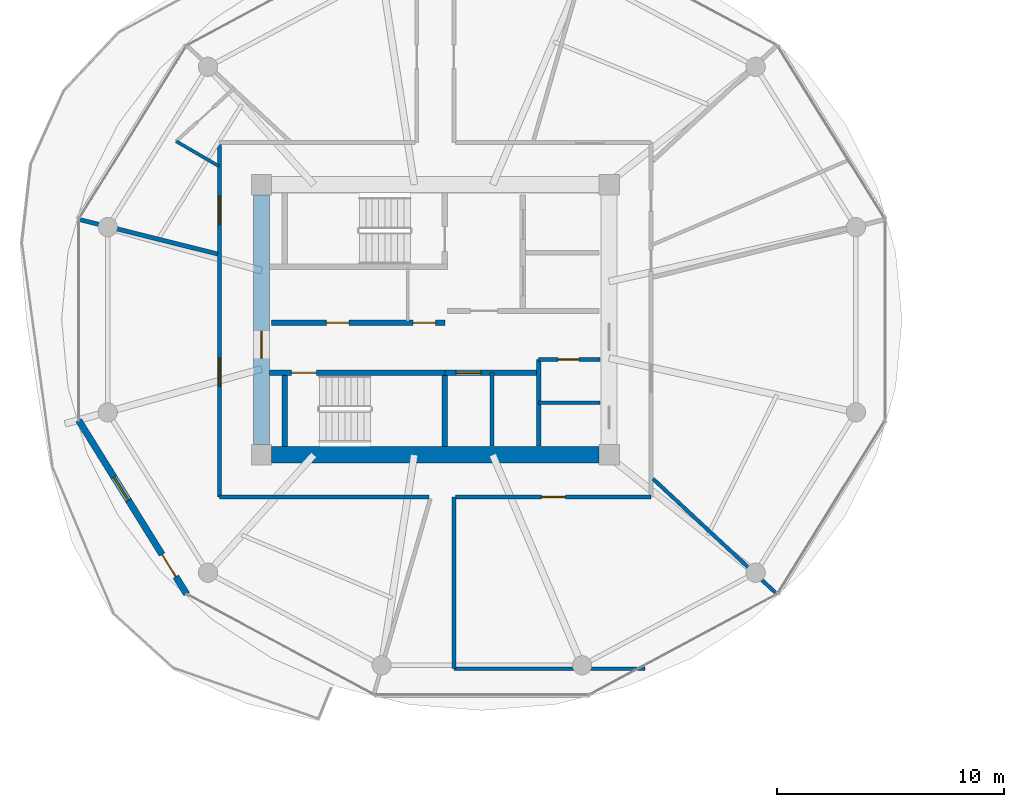
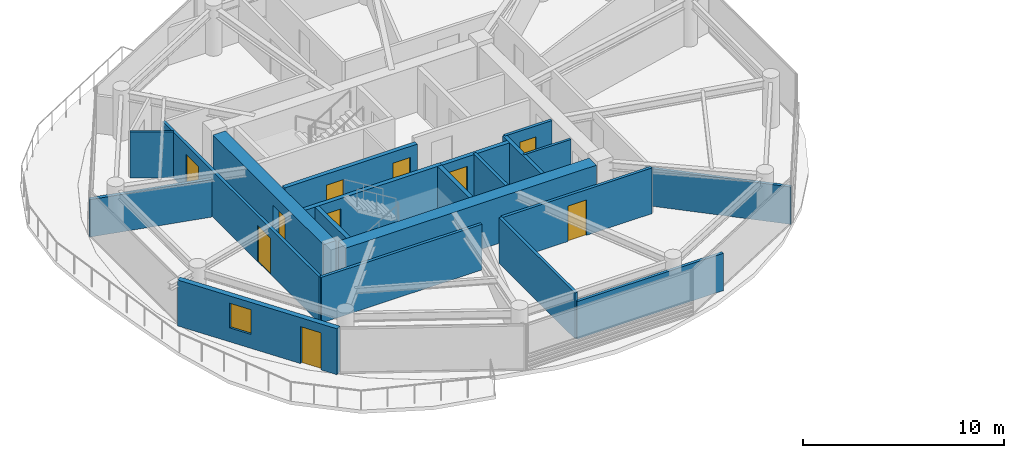
# One storey, part 13 of 23: 20 walls, 10 doors, 1 window, 11 openings.
"""IFC4 building model written with IfcOpenShell, lengths in metres."""

from ifc_helpers import new_model, si_unit, direction, frame, frame_2d, origin, place, context, subcontext, project, spatial, rectangle, extrude, source, transform, mapped, material, layer, layer_set, type_object, type_shapes, element, fill, save


model = new_model("IFC4")

# Units and contexts
model_context = context("Model", 3, precision=1e-05, world=origin(), true_north=direction((0.0, 1.0)))
body_context = subcontext(model_context, "Body", "Model", "MODEL_VIEW")
ifc_project = project(units=[si_unit("LENGTHUNIT", "METRE"), si_unit("AREAUNIT", "SQUARE_METRE"), si_unit("VOLUMEUNIT", "CUBIC_METRE"), si_unit("PLANEANGLEUNIT", "RADIAN"), si_unit("MASSUNIT", "GRAM", prefix="KILO")], contexts=[model_context])

# Site, building, storey
site_placement = place(None, origin())
site = spatial("IfcSite", under=ifc_project, at=site_placement, CompositionType="ELEMENT")
building_placement = place(site_placement, origin())
building = spatial("IfcBuilding", under=site, at=building_placement, Name="Norrkilde Senior Care Towers", CompositionType="ELEMENT")
storey_placement = place(building_placement, frame((0.0, 0.0, 93.199951171875)))
storey = spatial("IfcBuildingStorey", under=building, at=storey_placement, Name="L28", CompositionType="ELEMENT", Elevation=93.199951171875)

# Wall
ifc_material_1 = material(Name="Concrete C60/75", Category="concrete")
ifc_layer_1 = layer(ifc_material_1, 0.719970703125)
ifc_layer_set_1 = layer_set([ifc_layer_1], Name="Concrete C60/75")
wall_type_1 = type_object("IfcWallType", Name="Core Shear Wall Z2 720", PredefinedType="SHEAR", material=ifc_layer_set_1)
shared_shape_1 = source(origin(), body_context, "Body", "SweptSolid", [
    extrude(rectangle(XDim=14.39990234375, YDim=0.719970703125, at=frame_2d((7.199951171875, 0.0))), origin(), (0.0, 0.0, 1.0), 2.7900390625),
])
wall_1_placement = place(storey_placement, frame((-20.800048828125, -5.949951171875, 0.0), z_axis=(0.0, 0.0, 1.0), x_axis=(-1.0, 0.0, 0.0)))
element("IfcWall", 1, at=wall_1_placement, inside=storey, type_object=wall_type_1, Name="L28 Core W South Shear Wall", PredefinedType="SHEAR", context=body_context, shape_type="MappedRepresentation", body=[
    mapped(shared_shape_1, transform((0.0, 0.0, 0.0), x_axis=(1.0, 0.0, 0.0), y_axis=(0.0, 1.0, 0.0), z_axis=(0.0, 0.0, 1.0), scale=1.0)),
])

# Wall, opening, door
shared_shape_2 = source(origin(), body_context, "Body", "SweptSolid", [
    extrude(rectangle(XDim=11.0, YDim=0.719970703125, at=frame_2d((5.5, 0.0))), origin(), (0.0, 0.0, 1.0), 2.7900390625),
])
type_shapes(wall_type_1, [shared_shape_1, shared_shape_2])
wall_2_placement = place(storey_placement, frame((-35.64990234375, -5.5, 0.0), z_axis=(0.0, 0.0, 1.0), x_axis=(0.0, 1.0, 0.0)))
wall_2 = element("IfcWall", 2, at=wall_2_placement, inside=storey, type_object=wall_type_1, Name="L28 Core W West Shear Wall", PredefinedType="SHEAR", context=body_context, shape_type="MappedRepresentation", body=[
    mapped(shared_shape_2, transform((0.0, 0.0, 0.0), x_axis=(1.0, 0.0, 0.0), y_axis=(0.0, 1.0, 0.0), z_axis=(0.0, 0.0, 1.0), scale=1.0)),
])
opening_1_placement = place(wall_2_placement, frame((3.800048828125, 0.0, 0.0)))
opening_1 = element("IfcOpeningElement", 3, at=opening_1_placement, cuts=wall_2, Name="Opening D-04", PredefinedType="OPENING", context=body_context, shape_type="SweptSolid", body=[
    extrude(rectangle(XDim=1.199951171875, YDim=2.14990234375, at=frame_2d((0.60009765625, 1.074951171875))), frame((0.0, 0.369873046875, 0.0), z_axis=(0.0, -1.0, 0.0), x_axis=(1.0, 0.0, 0.0)), (0.0, 0.0, 1.0), 0.739990234375),
])
ifc_material_2 = material(Name="Galvanised Painted Steel", Category="steel")
door_type_1 = type_object("IfcDoorType", Name="Firefighting Lobby Fire Door 1200x2150", OperationType="NOTDEFINED", PredefinedType="DOOR", material=ifc_material_2)
shared_shape_3 = source(origin(), body_context, "Body", "SweptSolid", [
    extrude(rectangle(XDim=1.199951171875, YDim=2.14990234375, at=frame_2d((0.60009765625, 1.074951171875))), frame((0.0, 0.02490234375, 0.0), z_axis=(0.0, -1.0, 0.0), x_axis=(1.0, 0.0, 0.0)), (0.0, 0.0, 1.0), 0.050048828125),
])
type_shapes(door_type_1, [shared_shape_3])
door_1_placement = place(opening_1_placement, frame((1.199951171875, 0.0, 0.0), z_axis=(0.0, 0.0, 1.0), x_axis=(-1.0, 0.0, 0.0)))
door_1 = element("IfcDoor", 4, at=door_1_placement, inside=storey, type_object=door_type_1, Name="L28 Core W West Portal Door", OperationType="SINGLE_SWING_LEFT", OverallHeight=2.14990234375, OverallWidth=1.199951171875, PredefinedType="DOOR", context=body_context, shape_type="MappedRepresentation", body=[
    mapped(shared_shape_3, transform((0.0, 0.0, 0.0), x_axis=(1.0, 0.0, 0.0), y_axis=(0.0, 1.0, 0.0), z_axis=(0.0, 0.0, 1.0), scale=1.0)),
])
fill(opening_1, door_1)

# Wall, openings, door, window
ifc_material_3 = material(Name="Precast concrete C45/55", Category="concrete")
ifc_layer_2 = layer(ifc_material_3, 0.2900390625)
ifc_layer_set_2 = layer_set([ifc_layer_2], Name="Precast concrete C45/55")
wall_type_2 = type_object("IfcWallType", Name="Winter Garden Facade Wall 290", PredefinedType="SOLIDWALL", material=ifc_layer_set_2)
shared_shape_4 = source(origin(), body_context, "Body", "SweptSolid", [
    extrude(rectangle(XDim=9.01416015625, YDim=0.2900390625, at=frame_2d((4.507080078125, 0.0))), origin(), (0.0, 0.0, 1.0), 2.7900390625),
])
type_shapes(wall_type_2, [shared_shape_4])
wall_3_placement = place(storey_placement, frame((-38.946533203125, -12.077392578125, 0.0), z_axis=(0.0, 0.0, 1.0), x_axis=(-0.527732945084, 0.849410347637, 0.0)))
wall_3 = element("IfcWall", 5, at=wall_3_placement, inside=storey, type_object=wall_type_2, Name="L28 Drum W Balcony Access Wall 06", PredefinedType="SOLIDWALL", context=body_context, shape_type="MappedRepresentation", body=[
    mapped(shared_shape_4, transform((0.0, 0.0, 0.0), x_axis=(1.0, 0.0, 0.0), y_axis=(0.0, 1.0, 0.0), z_axis=(0.0, 0.0, 1.0), scale=1.0)),
])
opening_2_placement = place(wall_3_placement, frame((0.89990234375, 0.0, 0.0)))
opening_2 = element("IfcOpeningElement", 6, at=opening_2_placement, cuts=wall_3, Name="Opening D-09", PredefinedType="OPENING", context=body_context, shape_type="SweptSolid", body=[
    extrude(rectangle(XDim=1.14990234375, YDim=2.25, at=frame_2d((0.574951171875, 1.125))), frame((0.0, 0.155029296875, 0.0), z_axis=(0.0, -1.0, 0.0), x_axis=(1.0, 0.0, 0.0)), (0.0, 0.0, 1.0), 0.31005859375),
])
opening_3_placement = place(wall_3_placement, frame((4.857177734375, 0.0, 0.85009765625)))
opening_3 = element("IfcOpeningElement", 7, at=opening_3_placement, cuts=wall_3, Name="Opening WN-07", PredefinedType="OPENING", context=body_context, shape_type="SweptSolid", body=[
    extrude(rectangle(XDim=1.199951171875, YDim=1.5, at=frame_2d((0.60009765625, 0.75))), frame((0.0, 0.155029296875, 0.0), z_axis=(0.0, -1.0, 0.0), x_axis=(1.0, 0.0, 0.0)), (0.0, 0.0, 1.0), 0.31005859375),
])
ifc_material_4 = material(Name="Anodised Aluminium", Category="aluminium")
door_type_2 = type_object("IfcDoorType", Name="Terrace and Balcony Glazed Door 1150x2250", OperationType="NOTDEFINED", PredefinedType="DOOR", material=ifc_material_4)
shared_shape_5 = source(origin(), body_context, "Body", "SweptSolid", [
    extrude(rectangle(XDim=1.14990234375, YDim=2.25, at=frame_2d((0.574951171875, 1.125))), frame((0.0, 0.02490234375, 0.0), z_axis=(0.0, -1.0, 0.0), x_axis=(1.0, 0.0, 0.0)), (0.0, 0.0, 1.0), 0.050048828125),
])
type_shapes(door_type_2, [shared_shape_5])
door_2_placement = place(opening_2_placement, origin())
door_2 = element("IfcDoor", 8, at=door_2_placement, inside=storey, type_object=door_type_2, Name="L28 Drum W Outdoor Terrace Door 06", OperationType="SINGLE_SWING_LEFT", OverallHeight=2.25, OverallWidth=1.14990234375, PredefinedType="DOOR", context=body_context, shape_type="MappedRepresentation", body=[
    mapped(shared_shape_5, transform((0.0, 0.0, 0.0), x_axis=(1.0, 0.0, 0.0), y_axis=(0.0, 1.0, 0.0), z_axis=(0.0, 0.0, 1.0), scale=1.0)),
])
fill(opening_2, door_2)
ifc_material_5 = material(Name="Triple Low-E Insulated Glazing", Category="glass")
window_type = type_object("IfcWindowType", Name="Stairwell Smoke Vent Window 1200x1500", PartitioningType="SINGLE_PANEL", PredefinedType="WINDOW", material=ifc_material_5)
shared_shape_6 = source(origin(), body_context, "Body", "SweptSolid", [
    extrude(rectangle(XDim=1.199951171875, YDim=1.5, at=frame_2d((0.60009765625, 0.75))), frame((0.0, 0.030029296875, 0.0), z_axis=(0.0, -1.0, 0.0), x_axis=(1.0, 0.0, 0.0)), (0.0, 0.0, 1.0), 0.06005859375),
])
type_shapes(window_type, [shared_shape_6])
window_placement = place(opening_3_placement, origin())
window = element("IfcWindow", 9, at=window_placement, inside=storey, type_object=window_type, Name="L28 Drum W Winter Garden Window 06", OverallHeight=1.5, OverallWidth=1.199951171875, PartitioningType="SINGLE_PANEL", PredefinedType="WINDOW", context=body_context, shape_type="MappedRepresentation", body=[
    mapped(shared_shape_6, transform((0.0, 0.0, 0.0), x_axis=(1.0, 0.0, 0.0), y_axis=(0.0, 1.0, 0.0), z_axis=(0.0, 0.0, 1.0), scale=1.0)),
])
fill(opening_3, window)

# Wall, openings, doors
ifc_material_6 = material(Name="Concrete C45/55", Category="concrete")
ifc_layer_3 = layer(ifc_material_6, 0.239990234375)
ifc_layer_set_3 = layer_set([ifc_layer_3], Name="Concrete C45/55")
wall_type_3 = type_object("IfcWallType", Name="Lift and Plant Rated Enclosure Partition 240", PredefinedType="PARTITIONING", material=ifc_layer_set_3)
shared_shape_7 = source(origin(), body_context, "Body", "SweptSolid", [
    extrude(rectangle(XDim=7.619873046875, YDim=0.239990234375, at=frame_2d((3.81005859375, 0.0))), origin(), (0.0, 0.0, 1.0), 2.775146484375),
])
wall_4_placement = place(storey_placement, frame((-35.199951171875, -0.1298828125, 0.0), z_axis=(0.0, 0.0, 1.0), x_axis=(1.0, 0.0, 0.0)))
wall_4 = element("IfcWall", 10, at=wall_4_placement, inside=storey, type_object=wall_type_3, Name="WL-INT-L28-W-PKAS", PredefinedType="PARTITIONING", context=body_context, shape_type="MappedRepresentation", body=[
    mapped(shared_shape_7, transform((0.0, 0.0, 0.0), x_axis=(1.0, 0.0, 0.0), y_axis=(0.0, 1.0, 0.0), z_axis=(0.0, 0.0, 1.0), scale=1.0)),
])
opening_4_placement = place(wall_4_placement, frame((6.219970703125, 0.0, 0.0)))
opening_4 = element("IfcOpeningElement", 11, at=opening_4_placement, cuts=wall_4, Name="Opening D-10", PredefinedType="OPENING", context=body_context, shape_type="SweptSolid", body=[
    extrude(rectangle(XDim=1.0, YDim=2.10009765625, at=frame_2d((0.5, 1.050048828125))), frame((0.0, 0.1298828125, 0.0), z_axis=(0.0, -1.0, 0.0), x_axis=(1.0, 0.0, 0.0)), (0.0, 0.0, 1.0), 0.260009765625),
])
opening_5_placement = place(wall_4_placement, frame((2.39990234375, 0.0, 0.0)))
opening_5 = element("IfcOpeningElement", 12, at=opening_5_placement, cuts=wall_4, Name="Opening D-10", PredefinedType="OPENING", context=body_context, shape_type="SweptSolid", body=[
    extrude(rectangle(XDim=1.0, YDim=2.10009765625, at=frame_2d((0.5, 1.050048828125))), frame((0.0, 0.1298828125, 0.0), z_axis=(0.0, -1.0, 0.0), x_axis=(1.0, 0.0, 0.0)), (0.0, 0.0, 1.0), 0.260009765625),
])
door_type_3 = type_object("IfcDoorType", Name="Plant and Riser Rated Door 1000x2100", OperationType="NOTDEFINED", PredefinedType="DOOR", material=ifc_material_2)
shared_shape_8 = source(origin(), body_context, "Body", "SweptSolid", [
    extrude(rectangle(XDim=1.0, YDim=2.10009765625, at=frame_2d((0.5, 1.050048828125))), frame((0.0, 0.02490234375, 0.0), z_axis=(0.0, -1.0, 0.0), x_axis=(1.0, 0.0, 0.0)), (0.0, 0.0, 1.0), 0.050048828125),
])
type_shapes(door_type_3, [shared_shape_8])
door_3_placement = place(opening_4_placement, frame((1.0, 0.0, 0.0), z_axis=(0.0, 0.0, 1.0), x_axis=(-1.0, 0.0, 0.0)))
door_3 = element("IfcDoor", 13, at=door_3_placement, inside=storey, type_object=door_type_3, Name="L28 Electrical Riser W Door", OperationType="SINGLE_SWING_LEFT", OverallHeight=2.10009765625, OverallWidth=1.0, PredefinedType="DOOR", context=body_context, shape_type="MappedRepresentation", body=[
    mapped(shared_shape_8, transform((0.0, 0.0, 0.0), x_axis=(1.0, 0.0, 0.0), y_axis=(0.0, 1.0, 0.0), z_axis=(0.0, 0.0, 1.0), scale=1.0)),
])
fill(opening_4, door_3)
door_4_placement = place(opening_5_placement, frame((1.0, 0.0, 0.0), z_axis=(0.0, 0.0, 1.0), x_axis=(-1.0, 0.0, 0.0)))
door_4 = element("IfcDoor", 14, at=door_4_placement, inside=storey, type_object=door_type_3, Name="L28 Clean Supply Store W Door", OperationType="SINGLE_SWING_LEFT", OverallHeight=2.10009765625, OverallWidth=1.0, PredefinedType="DOOR", context=body_context, shape_type="MappedRepresentation", body=[
    mapped(shared_shape_8, transform((0.0, 0.0, 0.0), x_axis=(1.0, 0.0, 0.0), y_axis=(0.0, 1.0, 0.0), z_axis=(0.0, 0.0, 1.0), scale=1.0)),
])
fill(opening_5, door_4)

# Wall
ifc_layer_4 = layer(ifc_material_6, 0.199951171875)
ifc_layer_set_4 = layer_set([ifc_layer_4], Name="Concrete C45/55")
wall_type_4 = type_object("IfcWallType", Name="Shaft Division and Plant Partition 200", PredefinedType="PARTITIONING", material=ifc_layer_set_4)
shared_shape_9 = source(origin(), body_context, "Body", "SweptSolid", [
    extrude(rectangle(XDim=3.800048828125, YDim=0.199951171875, at=frame_2d((1.89990234375, 0.0))), origin(), (0.0, 0.0, 1.0), 2.775146484375),
])
type_shapes(wall_type_4, [shared_shape_9])
wall_5_placement = place(storey_placement, frame((-23.449951171875, -5.550048828125, 0.0), z_axis=(0.0, 0.0, 1.0), x_axis=(0.0, 1.0, 0.0)))
element("IfcWall", 15, at=wall_5_placement, inside=storey, type_object=wall_type_4, Name="WL-INT-L28-W-PKBE", PredefinedType="PARTITIONING", context=body_context, shape_type="MappedRepresentation", body=[
    mapped(shared_shape_9, transform((0.0, 0.0, 0.0), x_axis=(1.0, 0.0, 0.0), y_axis=(0.0, 1.0, 0.0), z_axis=(0.0, 0.0, 1.0), scale=1.0)),
])

# Wall, opening, door
shared_shape_10 = source(origin(), body_context, "Body", "SweptSolid", [
    extrude(rectangle(XDim=4.130126953125, YDim=0.239990234375, at=frame_2d((2.06494140625, 0.0))), origin(), (0.0, 0.0, 1.0), 2.775146484375),
])
type_shapes(wall_type_3, [shared_shape_7, shared_shape_10])
wall_6_placement = place(storey_placement, frame((-27.580078125, -2.330078125, 0.0), z_axis=(0.0, 0.0, 1.0), x_axis=(1.0, 0.0, 0.0)))
wall_6 = element("IfcWall", 16, at=wall_6_placement, inside=storey, type_object=wall_type_3, Name="WL-INT-L28-W-PKBN", PredefinedType="PARTITIONING", context=body_context, shape_type="MappedRepresentation", body=[
    mapped(shared_shape_10, transform((0.0, 0.0, 0.0), x_axis=(1.0, 0.0, 0.0), y_axis=(0.0, 1.0, 0.0), z_axis=(0.0, 0.0, 1.0), scale=1.0)),
])
opening_6_placement = place(wall_6_placement, frame((0.5, 0.0, 0.0)))
opening_6 = element("IfcOpeningElement", 17, at=opening_6_placement, cuts=wall_6, Name="Opening LD-01", PredefinedType="OPENING", context=body_context, shape_type="SweptSolid", body=[
    extrude(rectangle(XDim=1.10009765625, YDim=2.199951171875, at=frame_2d((0.550048828125, 1.10009765625))), frame((0.0, 0.1298828125, 0.0), z_axis=(0.0, -1.0, 0.0), x_axis=(1.0, 0.0, 0.0)), (0.0, 0.0, 1.0), 0.260009765625),
])
ifc_material_7 = material(Name="Stainless Steel", Category="steel")
door_type_4 = type_object("IfcDoorType", Name="Lift Landing Sliding Door 1100x2200", OperationType="NOTDEFINED", PredefinedType="DOOR", material=ifc_material_7)
shared_shape_11 = source(origin(), body_context, "Body", "SweptSolid", [
    extrude(rectangle(XDim=1.10009765625, YDim=2.199951171875, at=frame_2d((0.550048828125, 1.10009765625))), frame((0.0, 0.02490234375, 0.0), z_axis=(0.0, -1.0, 0.0), x_axis=(1.0, 0.0, 0.0)), (0.0, 0.0, 1.0), 0.050048828125),
])
type_shapes(door_type_4, [shared_shape_11])
door_5_placement = place(opening_6_placement, frame((1.10009765625, 0.0, 0.0), z_axis=(0.0, 0.0, 1.0), x_axis=(-1.0, 0.0, 0.0)))
door_5 = element("IfcDoor", 18, at=door_5_placement, inside=storey, type_object=door_type_4, Name="L28 Passenger Lift W3 Landing Door", OperationType="SLIDING_TO_LEFT", OverallHeight=2.199951171875, OverallWidth=1.10009765625, PredefinedType="DOOR", context=body_context, shape_type="MappedRepresentation", body=[
    mapped(shared_shape_11, transform((0.0, 0.0, 0.0), x_axis=(1.0, 0.0, 0.0), y_axis=(0.0, 1.0, 0.0), z_axis=(0.0, 0.0, 1.0), scale=1.0)),
])
fill(opening_6, door_5)

# Wall
ifc_layer_5 = layer(ifc_material_6, 0.179931640625)
ifc_layer_set_5 = layer_set([ifc_layer_5], Name="Concrete C45/55")
wall_type_5 = type_object("IfcWallType", Name="Hoistway Division Rated Partition 180", PredefinedType="PARTITIONING", material=ifc_layer_set_5)
shared_shape_12 = source(origin(), body_context, "Body", "SweptSolid", [
    extrude(rectangle(XDim=3.219970703125, YDim=0.179931640625, at=frame_2d((1.60986328125, 0.0))), origin(), (0.0, 0.0, 1.0), 2.775146484375),
])
type_shapes(wall_type_5, [shared_shape_12])
wall_7_placement = place(storey_placement, frame((-25.5, -5.550048828125, 0.0), z_axis=(0.0, 0.0, 1.0), x_axis=(0.0, 1.0, 0.0)))
element("IfcWall", 19, at=wall_7_placement, inside=storey, type_object=wall_type_5, Name="WL-INT-L28-W-PL34", PredefinedType="PARTITIONING", context=body_context, shape_type="MappedRepresentation", body=[
    mapped(shared_shape_12, transform((0.0, 0.0, 0.0), x_axis=(1.0, 0.0, 0.0), y_axis=(0.0, 1.0, 0.0), z_axis=(0.0, 0.0, 1.0), scale=1.0)),
])

# Wall, opening, door
ifc_material_8 = material(Name="Gypsum Acoustic Board")
ifc_layer_6 = layer(ifc_material_8, 0.1650390625)
ifc_layer_set_6 = layer_set([ifc_layer_6], Name="Gypsum Acoustic Board")
wall_type_6 = type_object("IfcWallType", Name="Corridor Rated Partition 165", PredefinedType="PARTITIONING", material=ifc_layer_set_6)
shared_shape_13 = source(origin(), body_context, "Body", "SweptSolid", [
    extrude(rectangle(XDim=2.699951171875, YDim=0.1650390625, at=frame_2d((1.35009765625, 0.0))), origin(), (0.0, 0.0, 1.0), 2.775146484375),
])
wall_8_placement = place(storey_placement, frame((-23.449951171875, -1.75, 0.0), z_axis=(0.0, 0.0, 1.0), x_axis=(1.0, 0.0, 0.0)))
wall_8 = element("IfcWall", 20, at=wall_8_placement, inside=storey, type_object=wall_type_6, Name="WL-INT-L28-W-CSN", PredefinedType="PARTITIONING", context=body_context, shape_type="MappedRepresentation", body=[
    mapped(shared_shape_13, transform((0.0, 0.0, 0.0), x_axis=(1.0, 0.0, 0.0), y_axis=(0.0, 1.0, 0.0), z_axis=(0.0, 0.0, 1.0), scale=1.0)),
])
opening_7_placement = place(wall_8_placement, frame((0.85009765625, 0.0, 0.0)))
opening_7 = element("IfcOpeningElement", 21, at=opening_7_placement, cuts=wall_8, Name="Opening D-12", PredefinedType="OPENING", context=body_context, shape_type="SweptSolid", body=[
    extrude(rectangle(XDim=0.925048828125, YDim=2.10009765625, at=frame_2d((0.46240234375, 1.050048828125))), frame((0.0, 0.092529296875, 0.0), z_axis=(0.0, -1.0, 0.0), x_axis=(1.0, 0.0, 0.0)), (0.0, 0.0, 1.0), 0.18505859375),
])
door_type_5 = type_object("IfcDoorType", Name="Core Wet Room Rated Door 925x2100", OperationType="NOTDEFINED", PredefinedType="DOOR", material=ifc_material_2)
shared_shape_14 = source(origin(), body_context, "Body", "SweptSolid", [
    extrude(rectangle(XDim=0.925048828125, YDim=2.10009765625, at=frame_2d((0.46240234375, 1.050048828125))), frame((0.0, 0.02490234375, 0.0), z_axis=(0.0, -1.0, 0.0), x_axis=(1.0, 0.0, 0.0)), (0.0, 0.0, 1.0), 0.050048828125),
])
type_shapes(door_type_5, [shared_shape_14])
door_6_placement = place(opening_7_placement, origin())
door_6 = element("IfcDoor", 22, at=door_6_placement, inside=storey, type_object=door_type_5, Name="L28 Staff WC W Door", OperationType="SINGLE_SWING_LEFT", OverallHeight=2.10009765625, OverallWidth=0.925048828125, PredefinedType="DOOR", context=body_context, shape_type="MappedRepresentation", body=[
    mapped(shared_shape_14, transform((0.0, 0.0, 0.0), x_axis=(1.0, 0.0, 0.0), y_axis=(0.0, 1.0, 0.0), z_axis=(0.0, 0.0, 1.0), scale=1.0)),
])
fill(opening_7, door_6)

# Wall, openings, doors
shared_shape_15 = source(origin(), body_context, "Body", "SweptSolid", [
    extrude(rectangle(XDim=15.60009765625, YDim=0.1650390625, at=frame_2d((7.800048828125, 0.0))), origin(), (0.0, 0.0, 1.0), 2.775146484375),
])
wall_9_placement = place(storey_placement, frame((-37.5, -7.800048828125, 0.0), z_axis=(0.0, 0.0, 1.0), x_axis=(0.0, 1.0, 0.0)))
wall_9 = element("IfcWall", 23, at=wall_9_placement, inside=storey, type_object=wall_type_6, Name="WL-INT-L28-W-CRW-W-0", PredefinedType="PARTITIONING", context=body_context, shape_type="MappedRepresentation", body=[
    mapped(shared_shape_15, transform((0.0, 0.0, 0.0), x_axis=(1.0, 0.0, 0.0), y_axis=(0.0, 1.0, 0.0), z_axis=(0.0, 0.0, 1.0), scale=1.0)),
])
opening_8_placement = place(wall_9_placement, frame((11.994140625, 0.0, 0.0)))
opening_8 = element("IfcOpeningElement", 24, at=opening_8_placement, cuts=wall_9, Name="Opening D-05", PredefinedType="OPENING", context=body_context, shape_type="SweptSolid", body=[
    extrude(rectangle(XDim=1.25, YDim=2.199951171875, at=frame_2d((0.625, 1.10009765625))), frame((0.0, 0.092529296875, 0.0), z_axis=(0.0, -1.0, 0.0), x_axis=(1.0, 0.0, 0.0)), (0.0, 0.0, 1.0), 0.18505859375),
])
opening_9_placement = place(wall_9_placement, frame((4.867431640625, 0.0, 0.0)))
opening_9 = element("IfcOpeningElement", 25, at=opening_9_placement, cuts=wall_9, Name="Opening D-05", PredefinedType="OPENING", context=body_context, shape_type="SweptSolid", body=[
    extrude(rectangle(XDim=1.25, YDim=2.199951171875, at=frame_2d((0.625, 1.10009765625))), frame((0.0, 0.092529296875, 0.0), z_axis=(0.0, -1.0, 0.0), x_axis=(1.0, 0.0, 0.0)), (0.0, 0.0, 1.0), 0.18505859375),
])
ifc_material_9 = material(Name="Nordic Ash Timber", Category="wood")
door_type_6 = type_object("IfcDoorType", Name="Care Bedroom Bariatric Door 1250x2200", OperationType="NOTDEFINED", PredefinedType="DOOR", material=ifc_material_9)
shared_shape_16 = source(origin(), body_context, "Body", "SweptSolid", [
    extrude(rectangle(XDim=1.25, YDim=2.199951171875, at=frame_2d((0.625, 1.10009765625))), frame((0.0, 0.02490234375, 0.0), z_axis=(0.0, -1.0, 0.0), x_axis=(1.0, 0.0, 0.0)), (0.0, 0.0, 1.0), 0.050048828125),
])
type_shapes(door_type_6, [shared_shape_16])
door_7_placement = place(opening_8_placement, frame((1.25, 0.0, 0.0), z_axis=(0.0, 0.0, 1.0), x_axis=(-1.0, 0.0, 0.0)))
door_7 = element("IfcDoor", 26, at=door_7_placement, inside=storey, type_object=door_type_6, Name="L28 Care Suite 2804 Entrance Door", OperationType="SINGLE_SWING_LEFT", OverallHeight=2.199951171875, OverallWidth=1.25, PredefinedType="DOOR", context=body_context, shape_type="MappedRepresentation", body=[
    mapped(shared_shape_16, transform((0.0, 0.0, 0.0), x_axis=(1.0, 0.0, 0.0), y_axis=(0.0, 1.0, 0.0), z_axis=(0.0, 0.0, 1.0), scale=1.0)),
])
fill(opening_8, door_7)
door_8_placement = place(opening_9_placement, frame((1.25, 0.0, 0.0), z_axis=(0.0, 0.0, 1.0), x_axis=(-1.0, 0.0, 0.0)))
door_8 = element("IfcDoor", 27, at=door_8_placement, inside=storey, type_object=door_type_6, Name="L28 Household Communal Dining Salon Door", OperationType="SINGLE_SWING_RIGHT", OverallHeight=2.199951171875, OverallWidth=1.25, PredefinedType="DOOR", context=body_context, shape_type="MappedRepresentation", body=[
    mapped(shared_shape_16, transform((0.0, 0.0, 0.0), x_axis=(1.0, 0.0, 0.0), y_axis=(0.0, 1.0, 0.0), z_axis=(0.0, 0.0, 1.0), scale=1.0)),
])
fill(opening_9, door_8)

# Wall
ifc_layer_7 = layer(ifc_material_8, 0.139892578125)
ifc_layer_set_7 = layer_set([ifc_layer_7], Name="Gypsum Acoustic Board")
wall_type_7 = type_object("IfcWallType", Name="En-suite Wet Room Wall 140", PredefinedType="PARTITIONING", material=ifc_layer_set_7)
shared_shape_17 = source(origin(), body_context, "Body", "SweptSolid", [
    extrude(rectangle(XDim=2.699951171875, YDim=0.139892578125, at=frame_2d((1.35009765625, 0.0))), origin(), (0.0, 0.0, 1.0), 2.775146484375),
])
wall_10_placement = place(storey_placement, frame((-23.449951171875, -3.64990234375, 0.0), z_axis=(0.0, 0.0, 1.0), x_axis=(1.0, 0.0, 0.0)))
element("IfcWall", 28, at=wall_10_placement, inside=storey, type_object=wall_type_7, Name="WL-INT-L28-W-CS2H", PredefinedType="PARTITIONING", context=body_context, shape_type="MappedRepresentation", body=[
    mapped(shared_shape_17, transform((0.0, 0.0, 0.0), x_axis=(1.0, 0.0, 0.0), y_axis=(0.0, 1.0, 0.0), z_axis=(0.0, 0.0, 1.0), scale=1.0)),
])

# Wall, opening, door
ifc_layer_8 = layer(ifc_material_6, 0.239990234375)
ifc_layer_set_8 = layer_set([ifc_layer_8], Name="Concrete C45/55")
wall_type_8 = type_object("IfcWallType", Name="Shaft and Stair Enclosure Wall 240", PredefinedType="PARTITIONING", material=ifc_layer_set_8)
shared_shape_18 = source(origin(), body_context, "Body", "SweptSolid", [
    extrude(rectangle(XDim=7.830078125, YDim=0.239990234375, at=frame_2d((3.9150390625, 0.0))), origin(), (0.0, 0.0, 1.0), 2.7900390625),
])
wall_11_placement = place(storey_placement, frame((-35.2900390625, -2.330078125, 0.0), z_axis=(0.0, 0.0, 1.0), x_axis=(1.0, 0.0, 0.0)))
wall_11 = element("IfcWall", 29, at=wall_11_placement, inside=storey, type_object=wall_type_8, Name="WL-INT-L28-W-ST2N", PredefinedType="PARTITIONING", context=body_context, shape_type="MappedRepresentation", body=[
    mapped(shared_shape_18, transform((0.0, 0.0, 0.0), x_axis=(1.0, 0.0, 0.0), y_axis=(0.0, 1.0, 0.0), z_axis=(0.0, 0.0, 1.0), scale=1.0)),
])
opening_10_placement = place(wall_11_placement, frame((0.949951171875, 0.0, 0.0)))
opening_10 = element("IfcOpeningElement", 30, at=opening_10_placement, cuts=wall_11, Name="Opening D-03", PredefinedType="OPENING", context=body_context, shape_type="SweptSolid", body=[
    extrude(rectangle(XDim=1.10009765625, YDim=2.14990234375, at=frame_2d((0.550048828125, 1.074951171875))), frame((0.0, 0.1298828125, 0.0), z_axis=(0.0, -1.0, 0.0), x_axis=(1.0, 0.0, 0.0)), (0.0, 0.0, 1.0), 0.260009765625),
])
door_type_7 = type_object("IfcDoorType", Name="Stairwell Protected Fire Door 1100x2150", OperationType="NOTDEFINED", PredefinedType="DOOR", material=ifc_material_2)
shared_shape_19 = source(origin(), body_context, "Body", "SweptSolid", [
    extrude(rectangle(XDim=1.10009765625, YDim=2.14990234375, at=frame_2d((0.550048828125, 1.074951171875))), frame((0.0, 0.02490234375, 0.0), z_axis=(0.0, -1.0, 0.0), x_axis=(1.0, 0.0, 0.0)), (0.0, 0.0, 1.0), 0.050048828125),
])
type_shapes(door_type_7, [shared_shape_19])
door_9_placement = place(opening_10_placement, frame((1.10009765625, 0.0, 0.0), z_axis=(0.0, 0.0, 1.0), x_axis=(-1.0, 0.0, 0.0)))
door_9 = element("IfcDoor", 31, at=door_9_placement, inside=storey, type_object=door_type_7, Name="L28 Stair W2 Fire Door", OperationType="SINGLE_SWING_RIGHT", OverallHeight=2.14990234375, OverallWidth=1.10009765625, PredefinedType="DOOR", context=body_context, shape_type="MappedRepresentation", body=[
    mapped(shared_shape_19, transform((0.0, 0.0, 0.0), x_axis=(1.0, 0.0, 0.0), y_axis=(0.0, 1.0, 0.0), z_axis=(0.0, 0.0, 1.0), scale=1.0)),
])
fill(opening_10, door_9)

# Walls
shared_shape_20 = source(origin(), body_context, "Body", "SweptSolid", [
    extrude(rectangle(XDim=3.14013671875, YDim=0.239990234375, at=frame_2d((1.570068359375, 0.0))), origin(), (0.0, 0.0, 1.0), 2.7900390625),
])
type_shapes(wall_type_8, [shared_shape_18, shared_shape_20])
for number, where, z_axis, x_axis, name in (
    (32, (-34.6201171875, -5.590087890625, 0.0), (0.0, 0.0, 1.0), (0.0, 1.0, 0.0), "WL-INT-L28-W-ST2W"),
    (33, (-27.580078125, -5.590087890625, 0.0), (0.0, 0.0, 1.0), (0.0, 1.0, 0.0), "WL-INT-L28-W-ST2E"),
):
    element("IfcWall", number, at=place(storey_placement, frame(where, z_axis=z_axis, x_axis=x_axis)), inside=storey, type_object=wall_type_8, Name=name, PredefinedType="PARTITIONING", context=body_context, shape_type="MappedRepresentation", body=[
        mapped(shared_shape_20, transform((0.0, 0.0, 0.0), x_axis=(1.0, 0.0, 0.0), y_axis=(0.0, 1.0, 0.0), z_axis=(0.0, 0.0, 1.0), scale=1.0)),
    ])
ifc_layer_9 = layer(ifc_material_8, 0.18994140625)
ifc_layer_set_9 = layer_set([ifc_layer_9], Name="Gypsum Acoustic Board")
wall_type_9 = type_object("IfcWallType", Name="Unit Demising Acoustic Wall 190", PredefinedType="PARTITIONING", material=ifc_layer_set_9)
shared_shape_21 = source(origin(), body_context, "Body", "SweptSolid", [
    extrude(rectangle(XDim=6.33056640625, YDim=0.18994140625, at=frame_2d((3.165283203125, 0.0))), origin(), (0.0, 0.0, 1.0), 2.275146484375),
])
type_shapes(wall_type_9, [shared_shape_21])
wall_12_placement = place(storey_placement, frame((-37.580078125, 2.89599609375, 0.0), z_axis=(0.0, 0.0, 1.0), x_axis=(-0.97036440661, 0.241646267062, 0.0)))
element("IfcWall", 34, at=wall_12_placement, inside=storey, type_object=wall_type_9, Name="WL-INT-L28-W-DEM-05-0", PredefinedType="PARTITIONING", context=body_context, shape_type="MappedRepresentation", body=[
    mapped(shared_shape_21, transform((0.0, 0.0, 0.0), x_axis=(1.0, 0.0, 0.0), y_axis=(0.0, 1.0, 0.0), z_axis=(0.0, 0.0, 1.0), scale=1.0)),
])
shared_shape_22 = source(origin(), body_context, "Body", "SweptSolid", [
    extrude(rectangle(XDim=2.171630859375, YDim=0.139892578125, at=frame_2d((1.0859375, 0.0))), origin(), (0.0, 0.0, 1.0), 2.775146484375),
])
type_shapes(wall_type_7, [shared_shape_17, shared_shape_22])
wall_13_placement = place(storey_placement, frame((-37.530029296875, 6.761962890625, 0.0), z_axis=(0.0, 0.0, 1.0), x_axis=(-0.863562702562, 0.504241468688, 0.0)))
element("IfcWall", 35, at=wall_13_placement, inside=storey, type_object=wall_type_7, Name="WL-INT-L28-W-ES-04", PredefinedType="PARTITIONING", context=body_context, shape_type="MappedRepresentation", body=[
    mapped(shared_shape_22, transform((0.0, 0.0, 0.0), x_axis=(1.0, 0.0, 0.0), y_axis=(0.0, 1.0, 0.0), z_axis=(0.0, 0.0, 1.0), scale=1.0)),
])

# Wall, opening, door
shared_shape_23 = source(origin(), body_context, "Body", "SweptSolid", [
    extrude(rectangle(XDim=8.60009765625, YDim=0.1650390625, at=frame_2d((4.300048828125, 0.0))), origin(), (0.0, 0.0, 1.0), 2.775146484375),
])
wall_14_placement = place(storey_placement, frame((-18.5, -7.800048828125, 0.0), z_axis=(0.0, 0.0, 1.0), x_axis=(-1.0, 0.0, 0.0)))
wall_14 = element("IfcWall", 36, at=wall_14_placement, inside=storey, type_object=wall_type_6, Name="WL-INT-L28-W-CRW-S-0", PredefinedType="PARTITIONING", context=body_context, shape_type="MappedRepresentation", body=[
    mapped(shared_shape_23, transform((0.0, 0.0, 0.0), x_axis=(1.0, 0.0, 0.0), y_axis=(0.0, 1.0, 0.0), z_axis=(0.0, 0.0, 1.0), scale=1.0)),
])
opening_11_placement = place(wall_14_placement, frame((3.77490234375, 0.0, 0.0)))
opening_11 = element("IfcOpeningElement", 37, at=opening_11_placement, cuts=wall_14, Name="Opening D-06", PredefinedType="OPENING", context=body_context, shape_type="SweptSolid", body=[
    extrude(rectangle(XDim=1.050048828125, YDim=2.14990234375, at=frame_2d((0.52490234375, 1.074951171875))), frame((0.0, 0.092529296875, 0.0), z_axis=(0.0, -1.0, 0.0), x_axis=(1.0, 0.0, 0.0)), (0.0, 0.0, 1.0), 0.18505859375),
])
door_type_8 = type_object("IfcDoorType", Name="Apartment Entrance Fire Door 1050x2150", OperationType="NOTDEFINED", PredefinedType="DOOR", material=ifc_material_9)
shared_shape_24 = source(origin(), body_context, "Body", "SweptSolid", [
    extrude(rectangle(XDim=1.050048828125, YDim=2.14990234375, at=frame_2d((0.52490234375, 1.074951171875))), frame((0.0, 0.02490234375, 0.0), z_axis=(0.0, -1.0, 0.0), x_axis=(1.0, 0.0, 0.0)), (0.0, 0.0, 1.0), 0.050048828125),
])
type_shapes(door_type_8, [shared_shape_24])
door_10_placement = place(opening_11_placement, frame((1.050048828125, 0.0, 0.0), z_axis=(0.0, 0.0, 1.0), x_axis=(-1.0, 0.0, 0.0)))
door_10 = element("IfcDoor", 38, at=door_10_placement, inside=storey, type_object=door_type_8, Name="L28 Reading Lounge SEL Door", OperationType="SINGLE_SWING_RIGHT", OverallHeight=2.14990234375, OverallWidth=1.050048828125, PredefinedType="DOOR", context=body_context, shape_type="MappedRepresentation", body=[
    mapped(shared_shape_24, transform((0.0, 0.0, 0.0), x_axis=(1.0, 0.0, 0.0), y_axis=(0.0, 1.0, 0.0), z_axis=(0.0, 0.0, 1.0), scale=1.0)),
])
fill(opening_11, door_10)

# Walls
shared_shape_25 = source(origin(), body_context, "Body", "SweptSolid", [
    extrude(rectangle(XDim=9.234130859375, YDim=0.1650390625, at=frame_2d((4.6171875, 0.0))), origin(), (0.0, 0.0, 1.0), 2.775146484375),
])
wall_15_placement = place(storey_placement, frame((-28.265869140625, -7.800048828125, 0.0), z_axis=(0.0, 0.0, 1.0), x_axis=(-1.0, 0.0, 0.0)))
element("IfcWall", 39, at=wall_15_placement, inside=storey, type_object=wall_type_6, Name="WL-INT-L28-W-CRW-S-1", PredefinedType="PARTITIONING", context=body_context, shape_type="MappedRepresentation", body=[
    mapped(shared_shape_25, transform((0.0, 0.0, 0.0), x_axis=(1.0, 0.0, 0.0), y_axis=(0.0, 1.0, 0.0), z_axis=(0.0, 0.0, 1.0), scale=1.0)),
])
shared_shape_26 = source(origin(), body_context, "Body", "SweptSolid", [
    extrude(rectangle(XDim=7.482177734375, YDim=0.1650390625, at=frame_2d((3.7412109375, 0.0))), origin(), (0.0, 0.0, 1.0), 2.275146484375),
])
wall_16_placement = place(storey_placement, frame((-18.419921875, -6.998046875, 0.0), z_axis=(0.0, 0.0, 1.0), x_axis=(0.732508698043, -0.680757671489, 0.0)))
element("IfcWall", 40, at=wall_16_placement, inside=storey, type_object=wall_type_6, Name="WL-INT-L28-W-DEM-10-0", PredefinedType="PARTITIONING", context=body_context, shape_type="MappedRepresentation", body=[
    mapped(shared_shape_26, transform((0.0, 0.0, 0.0), x_axis=(1.0, 0.0, 0.0), y_axis=(0.0, 1.0, 0.0), z_axis=(0.0, 0.0, 1.0), scale=1.0)),
])
shared_shape_27 = source(origin(), body_context, "Body", "SweptSolid", [
    extrude(rectangle(XDim=7.56005859375, YDim=0.1650390625, at=frame_2d((3.780029296875, 0.0))), origin(), (0.0, 0.0, 1.0), 2.775146484375),
])
wall_17_placement = place(storey_placement, frame((-27.179931640625, -15.360107421875, 0.0), z_axis=(0.0, 0.0, 1.0), x_axis=(0.0, 1.0, 0.0)))
element("IfcWall", 41, at=wall_17_placement, inside=storey, type_object=wall_type_6, Name="WL-INT-L28-W-PKW-SEL", PredefinedType="PARTITIONING", context=body_context, shape_type="MappedRepresentation", body=[
    mapped(shared_shape_27, transform((0.0, 0.0, 0.0), x_axis=(1.0, 0.0, 0.0), y_axis=(0.0, 1.0, 0.0), z_axis=(0.0, 0.0, 1.0), scale=1.0)),
])
shared_shape_28 = source(origin(), body_context, "Body", "SweptSolid", [
    extrude(rectangle(XDim=8.406982421875, YDim=0.1650390625, at=frame_2d((4.20361328125, 0.0))), origin(), (0.0, 0.0, 1.0), 2.275146484375),
])
type_shapes(wall_type_6, [shared_shape_13, shared_shape_15, shared_shape_23, shared_shape_25, shared_shape_26, shared_shape_27, shared_shape_28])
wall_18_placement = place(storey_placement, frame((-27.179931640625, -15.360107421875, 0.0), z_axis=(0.0, 0.0, 1.0), x_axis=(1.0, 0.0, 0.0)))
element("IfcWall", 42, at=wall_18_placement, inside=storey, type_object=wall_type_6, Name="WL-INT-L28-W-PKH-SEL-0", PredefinedType="PARTITIONING", context=body_context, shape_type="MappedRepresentation", body=[
    mapped(shared_shape_28, transform((0.0, 0.0, 0.0), x_axis=(1.0, 0.0, 0.0), y_axis=(0.0, 1.0, 0.0), z_axis=(0.0, 0.0, 1.0), scale=1.0)),
])

save(model, "model.ifc")
